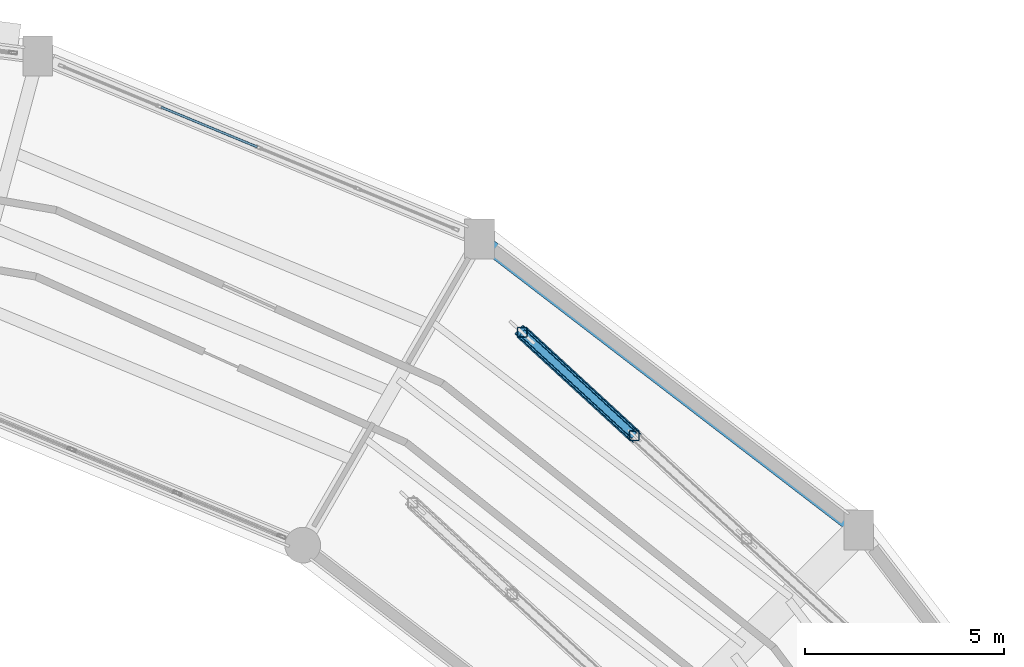
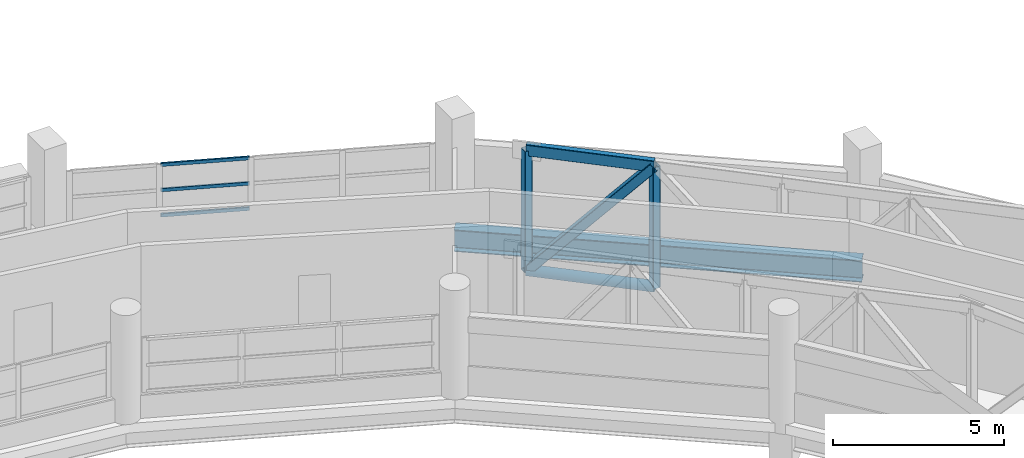
# One storey, part 61 of 121: 8 members, 1 beam, 1 element without a shape of its own.
"""IFC4 building model written with IfcOpenShell, lengths in metres."""

from ifc_helpers import new_model, si_unit, direction, frame, origin, origin_2d, place, context, subcontext, project, spatial, hollow_rectangle, hollow_circle, i_section, extrude, material, layer, layer_set, material_profile, profile_set, type_object, element, aggregate, save


model = new_model("IFC4")

# Units and contexts
model_context = context("Model", 3, precision=1e-05, world=origin(), true_north=direction((0.0, 1.0)))
body_context = subcontext(model_context, "Body", "Model", "MODEL_VIEW")
ifc_project = project(units=[si_unit("LENGTHUNIT", "METRE"), si_unit("AREAUNIT", "SQUARE_METRE"), si_unit("VOLUMEUNIT", "CUBIC_METRE"), si_unit("PLANEANGLEUNIT", "RADIAN"), si_unit("MASSUNIT", "GRAM", prefix="KILO")], contexts=[model_context])

# Site, building, storey
site_placement = place(None, origin())
site = spatial("IfcSite", under=ifc_project, at=site_placement, CompositionType="ELEMENT")
building_placement = place(site_placement, origin())
building = spatial("IfcBuilding", under=site, at=building_placement, Name="Vespera Passage Community Centre", CompositionType="ELEMENT")
storey_placement = place(building_placement, frame((0.0, 0.0, 8.699951171875)))
storey = spatial("IfcBuildingStorey", under=building, at=storey_placement, Name="L02", CompositionType="ELEMENT", Elevation=8.699951171875)

# Member
ifc_material_1 = material(Name="Steel ASTM A500 Grade C", Category="steel")
ifc_material_profile_1 = material_profile(ifc_material_1, hollow_circle(Radius=0.177734375, WallThickness=0.014892578125, at=origin_2d()), Name="CHS356X15.9")
ifc_profile_set_1 = profile_set([ifc_material_profile_1], Name="Steel ASTM A500 Grade C")
member_type_1 = type_object("IfcMemberType", Name="BC-356", PredefinedType="CHORD", material=ifc_profile_set_1)
member_1_placement = place(storey_placement, frame((104.947021484375, 100.475341796875, -0.849853515625), z_axis=(-0.736094521023, 0.676878760281, 0.0), x_axis=(-0.676878760281, -0.736094521023, 0.0)))
element("IfcMember", 1, at=member_1_placement, inside=storey, type_object=member_type_1, Name="BC-356 Transfer Truss Chord TR7O.4", PredefinedType="CHORD", context=body_context, shape_type="SweptSolid", body=[
    extrude(hollow_circle(Radius=0.177734375, WallThickness=0.014892578125, at=origin_2d()), origin(), (0.0, 0.0, 1.0), 3.83837890625),
])

# Beam
ifc_material_2 = material(Name="Steel ASTM A992 Grade 50", Category="steel")
ifc_material_profile_2 = material_profile(ifc_material_2, i_section(OverallWidth=0.382080078125, OverallDepth=0.779296875, WebThickness=0.01806640625, FlangeThickness=0.030029296875, FilletRadius=0.0166015625, at=origin_2d()), Name="W30X191")
ifc_profile_set_2 = profile_set([ifc_material_profile_2], Name="Steel ASTM A992 Grade 50")
beam_type = type_object("IfcBeamType", Name="BM-SP-W30X191E", PredefinedType="SPANDREL", material=ifc_profile_set_2)
beam_placement = place(storey_placement, frame((110.59765625, 98.09765625, -0.729736328125), z_axis=(-0.793351934501, 0.608763261066, 0.0), x_axis=(-0.608763261066, -0.793351934501, 0.0)))
element("IfcBeam", 2, at=beam_placement, inside=storey, type_object=beam_type, Name="V4 L02 Outer Spandrel 3", PredefinedType="SPANDREL", context=body_context, shape_type="SweptSolid", body=[
    extrude(i_section(OverallWidth=0.382080078125, OverallDepth=0.779296875, WebThickness=0.01806640625, FlangeThickness=0.030029296875, FilletRadius=0.0166015625, at=origin_2d()), origin(), (0.0, 0.0, 1.0), 12.034423828125),
])

# Curtain wall, members
ifc_material_3 = material(Name="Anodized aluminium 6063-T6", Category="aluminium")
ifc_layer = layer(ifc_material_3, 0.159912109375)
ifc_layer_set = layer_set([ifc_layer], Name="Anodized aluminium 6063-T6")
curtain_wall_type = type_object("IfcCurtainWallType", Name="CW-24E", PredefinedType="NOTDEFINED", material=ifc_layer_set)
curtain_wall_placement = place(storey_placement, origin())
curtain_wall = element("IfcCurtainWall", 3, at=curtain_wall_placement, inside=storey, type_object=curtain_wall_type, Name="V4 L02 Outer Ribbon Curtain Wall 4", PredefinedType="NOTDEFINED")
ifc_material_4 = material(Name="Anodized aluminium 6063-T6", Category="aluminium")
ifc_material_profile_3 = material_profile(ifc_material_4, hollow_rectangle(XDim=0.06005859375, YDim=0.1201171875, WallThickness=0.00390625, InnerFilletRadius=0.001953125, OuterFilletRadius=0.00390625, at=origin_2d()), Name="ALU120X60X4")
ifc_profile_set_3 = profile_set([ifc_material_profile_3], Name="Anodized aluminium 6063-T6")
member_type_2 = type_object("IfcMemberType", Name="MB-CWT-120E", PredefinedType="USERDEFINED", material=ifc_profile_set_3)
member_2_placement = place(storey_placement, frame((93.03271484375, 108.74462890625, 0.85009765625), z_axis=(0.92389545334, -0.382644993822, 0.0), x_axis=(0.382644993822, 0.92389545334, 0.0)))
member_2 = element("IfcMember", 4, at=member_2_placement, type_object=member_type_2, Name="CW-24E transom 2.1", ObjectType="TRANSOM", PredefinedType="USERDEFINED", context=body_context, shape_type="SweptSolid", body=[
    extrude(hollow_rectangle(XDim=0.06005859375, YDim=0.1201171875, WallThickness=0.00390625, InnerFilletRadius=0.001953125, OuterFilletRadius=0.00390625, at=origin_2d()), origin(), (0.0, 0.0, 1.0), 2.623046875),
])
member_3_placement = place(storey_placement, frame((93.03271484375, 108.74462890625, 1.7529296875), z_axis=(0.92389545334, -0.382644993822, 0.0), x_axis=(0.382644993822, 0.92389545334, 0.0)))
member_3 = element("IfcMember", 5, at=member_3_placement, type_object=member_type_2, Name="CW-24E transom 2.2", ObjectType="TRANSOM", PredefinedType="USERDEFINED", context=body_context, shape_type="SweptSolid", body=[
    extrude(hollow_rectangle(XDim=0.06005859375, YDim=0.1201171875, WallThickness=0.00390625, InnerFilletRadius=0.001953125, OuterFilletRadius=0.00390625, at=origin_2d()), origin(), (0.0, 0.0, 1.0), 2.623046875),
])
member_4_placement = place(storey_placement, frame((93.03271484375, 108.74462890625, 2.65576171875), z_axis=(0.92389545334, -0.382644993822, 0.0), x_axis=(0.382644993822, 0.92389545334, 0.0)))
member_4 = element("IfcMember", 6, at=member_4_placement, type_object=member_type_2, Name="CW-24E transom 2.3", ObjectType="TRANSOM", PredefinedType="USERDEFINED", context=body_context, shape_type="SweptSolid", body=[
    extrude(hollow_rectangle(XDim=0.06005859375, YDim=0.1201171875, WallThickness=0.00390625, InnerFilletRadius=0.001953125, OuterFilletRadius=0.00390625, at=origin_2d()), origin(), (0.0, 0.0, 1.0), 2.623046875),
])
aggregate(curtain_wall, [member_2, member_3, member_4])

# Members
ifc_material_5 = material(Name="Steel ASTM A500 Grade C", Category="steel")
ifc_material_profile_4 = material_profile(ifc_material_5, hollow_rectangle(XDim=0.203125, YDim=0.406494140625, WallThickness=0.014892578125, InnerFilletRadius=0.014892578125, OuterFilletRadius=0.029541015625, at=origin_2d()), Name="HSS406X203X15.9")
ifc_profile_set_4 = profile_set([ifc_material_profile_4], Name="Steel ASTM A500 Grade C")
member_type_3 = type_object("IfcMemberType", Name="TC-406", PredefinedType="CHORD", material=ifc_profile_set_4)
member_5_placement = place(storey_placement, frame((104.947021484375, 100.475341796875, 3.47998046875), z_axis=(-0.736094521023, 0.676878760281, 0.0), x_axis=(-0.676878760281, -0.736094521023, 0.0)))
element("IfcMember", 7, at=member_5_placement, inside=storey, type_object=member_type_3, Name="TC-406 Transfer Truss Chord TR7O.4", PredefinedType="CHORD", context=body_context, shape_type="SweptSolid", body=[
    extrude(hollow_rectangle(XDim=0.203125, YDim=0.406494140625, WallThickness=0.014892578125, InnerFilletRadius=0.014892578125, OuterFilletRadius=0.029541015625, at=origin_2d()), origin(), (0.0, 0.0, 1.0), 3.83837890625),
])
ifc_material_6 = material(Name="Steel ASTM A500 Grade C", Category="steel")
ifc_material_profile_5 = material_profile(ifc_material_6, hollow_rectangle(XDim=0.3046875, YDim=0.3046875, WallThickness=0.014892578125, InnerFilletRadius=0.014892578125, OuterFilletRadius=0.029541015625, at=origin_2d()), Name="HSS305X305X15.9")
ifc_profile_set_5 = profile_set([ifc_material_profile_5], Name="Steel ASTM A500 Grade C")
member_type_4 = type_object("IfcMemberType", Name="TD-305", PredefinedType="BRACE", material=ifc_profile_set_5)
member_6_placement = place(storey_placement, frame((104.947021484375, 100.475341796875, 3.47998046875), z_axis=(-0.488300622887, 0.449018856715, -0.748294439377), x_axis=(-0.676878760281, -0.736094521023, 0.0)))
element("IfcMember", 8, at=member_6_placement, inside=storey, type_object=member_type_4, Name="TD-305 Transfer Truss Diagonal TR7O.4", PredefinedType="BRACE", context=body_context, shape_type="SweptSolid", body=[
    extrude(hollow_rectangle(XDim=0.3046875, YDim=0.3046875, WallThickness=0.014892578125, InnerFilletRadius=0.014892578125, OuterFilletRadius=0.029541015625, at=origin_2d()), origin(), (0.0, 0.0, 1.0), 5.786376953125),
])
ifc_material_7 = material(Name="Steel ASTM A500 Grade C", Category="steel")
ifc_material_profile_6 = material_profile(ifc_material_7, hollow_rectangle(XDim=0.25390625, YDim=0.25390625, WallThickness=0.01171875, InnerFilletRadius=0.01171875, OuterFilletRadius=0.023681640625, at=origin_2d()), Name="HSS254X254X12.7")
ifc_profile_set_6 = profile_set([ifc_material_profile_6], Name="Steel ASTM A500 Grade C")
member_type_5 = type_object("IfcMemberType", Name="TP-254", PredefinedType="POST", material=ifc_profile_set_6)
for number, where, z_axis, x_axis, name in (
    (9, (104.947021484375, 100.475341796875, -0.849853515625), (0.0, 0.0, 1.0), (1.0, 0.0, 0.0), "Truss TR7O Vertical Post 4"),
    (10, (102.12158203125, 103.073486328125, -0.849853515625), (0.0, 0.0, 1.0), (1.0, 0.0, 0.0), "Truss TR7O Vertical Post 5"),
):
    element("IfcMember", number, at=place(storey_placement, frame(where, z_axis=z_axis, x_axis=x_axis)), inside=storey, type_object=member_type_5, Name=name, PredefinedType="POST", context=body_context, shape_type="SweptSolid", body=[
        extrude(hollow_rectangle(XDim=0.25390625, YDim=0.25390625, WallThickness=0.01171875, InnerFilletRadius=0.01171875, OuterFilletRadius=0.023681640625, at=origin_2d()), origin(), (0.0, 0.0, 1.0), 4.329833984375),
    ])

save(model, "model.ifc")
